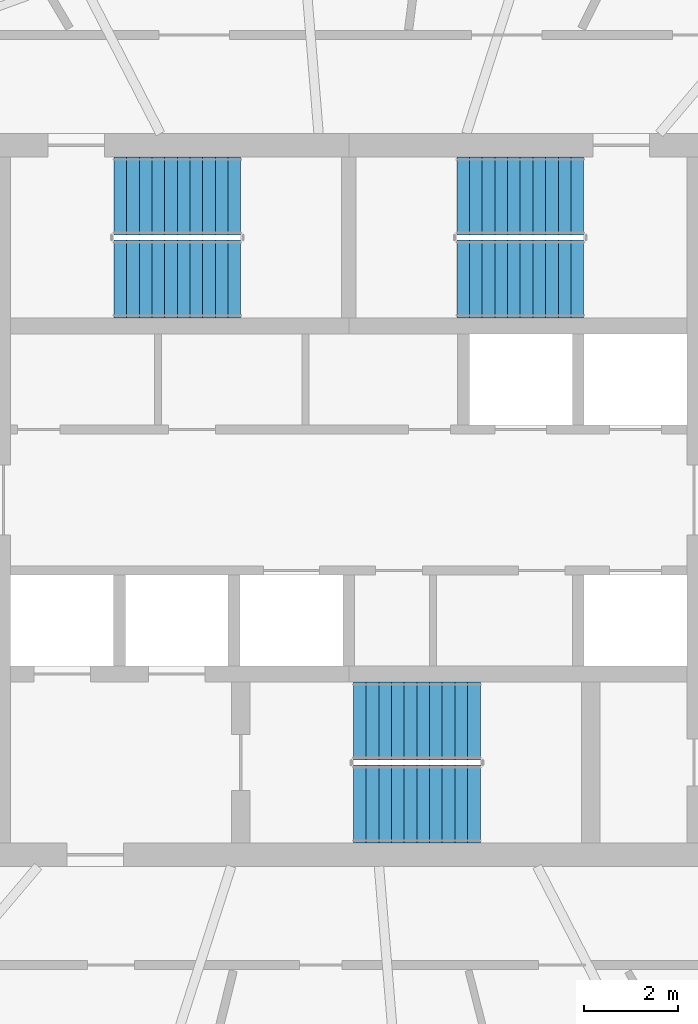
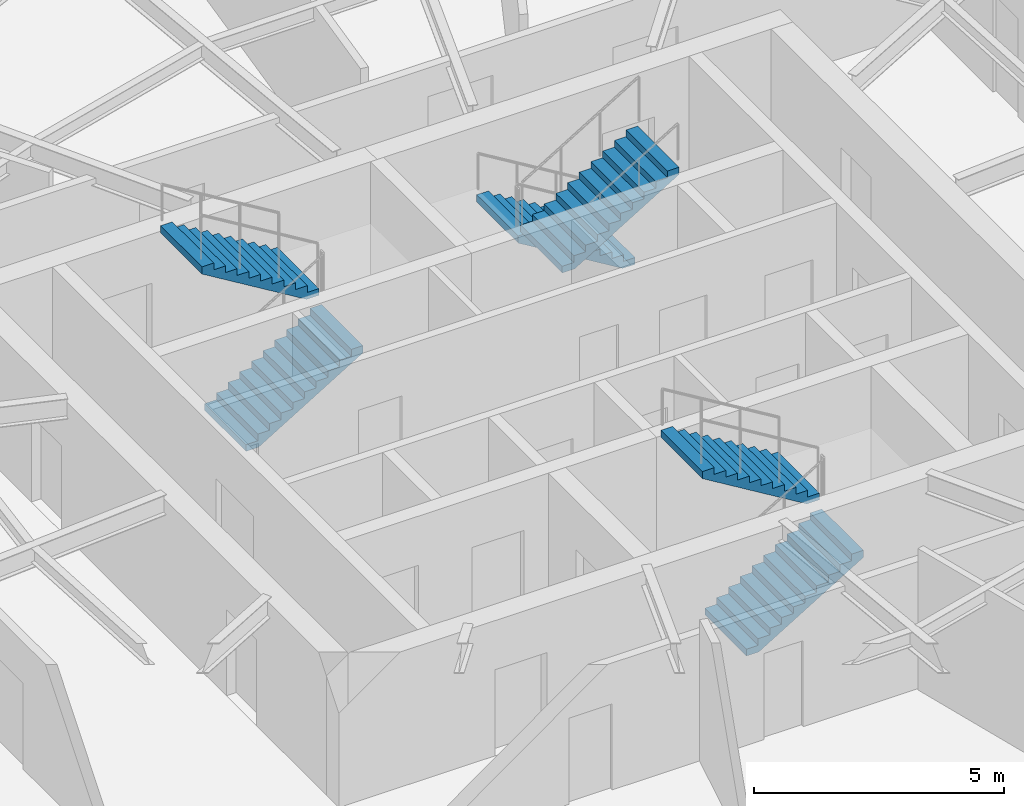
# One storey, part 11 of 14: 6 stair flights, 3 elements without a shape of their own.
"""IFC4 building model written with IfcOpenShell, lengths in metres."""

import ifcopenshell
import ifcopenshell.guid

model = None  # the IFC model being written
_history = None  # IfcOwnerHistory: only IFC2X3 demands one
_inside = {}  # id of a spatial element -> (the spatial element, [elements in it])
_under = {}  # id of a project, library or spatial element -> (it, [spatial elements below it])
_declared = {}  # id of a project -> (the project, [libraries it declares])
_typed = {}  # id of a type object -> (the type object, [elements of that type])
_made_of = {}  # id of a material, layer set ... -> (it, [elements and type objects made of it])


def new_model(schema):
    """Start an empty IFC model of exactly this schema.

    Asked for "IFC4X3", IfcOpenShell would pick the latest addendum, in which some entities
    have other attributes; the version numbers below select the first issue.
    IFC2X3 requires an IfcOwnerHistory on every rooted entity: one is made here for all.
    """
    global model, _history
    if schema == "IFC4X3":
        model = ifcopenshell.file(schema_version=(4, 3, 0, 0))
    else:
        model = ifcopenshell.file(schema=schema)
    _inside.clear()
    _under.clear()
    _declared.clear()
    _typed.clear()
    _made_of.clear()
    _history = None
    if model.schema == "IFC2X3":
        org = make("IfcOrganization", Name="unknown")
        user = make(
            "IfcPersonAndOrganization",
            ThePerson=make("IfcPerson", FamilyName="unknown"),
            TheOrganization=org,
        )
        app = make(
            "IfcApplication",
            ApplicationDeveloper=org,
            Version="unknown",
            ApplicationFullName="unknown",
            ApplicationIdentifier="unknown",
        )
        _history = make(
            "IfcOwnerHistory",
            OwningUser=user,
            OwningApplication=app,
            ChangeAction="ADDED",
            CreationDate=0,
        )
    return model


def make(cls, **values):
    """One entity of the class cls with the attributes given. An attribute that is None is left unset."""
    return model.create_entity(
        cls, **{name: value for name, value in values.items() if value is not None}
    )


def rooted(cls, **values):
    """An entity with a GlobalId (a new one), such as an element, a storey or a relation."""
    return make(cls, GlobalId=ifcopenshell.guid.new(), OwnerHistory=_history, **values)


def si_unit(unit_type, name, prefix=None):
    """IfcSIUnit, for example si_unit("LENGTHUNIT", "METRE", prefix="MILLI")."""
    return make("IfcSIUnit", UnitType=unit_type, Prefix=prefix, Name=name)


def assignment(units):
    """IfcUnitAssignment: the units of a project."""
    return None if units is None else make("IfcUnitAssignment", Units=units)


def point(xyz):
    """IfcCartesianPoint."""
    return None if xyz is None else make("IfcCartesianPoint", Coordinates=xyz)


def direction(xyz):
    """IfcDirection."""
    return None if xyz is None else make("IfcDirection", DirectionRatios=xyz)


def frame(location, z_axis=None, x_axis=None):
    """IfcAxis2Placement3D, a coordinate frame: its origin and axes. An axis left out is left unset."""
    return make(
        "IfcAxis2Placement3D",
        Location=point(location),
        Axis=direction(z_axis),
        RefDirection=direction(x_axis),
    )


def origin():
    """The frame at (0, 0, 0) with its axes left unset."""
    return frame((0.0, 0.0, 0.0))


def place(relative_to, where):
    """IfcLocalPlacement: puts the frame where relative to a parent placement (None: the world)."""
    return make(
        "IfcLocalPlacement", PlacementRelTo=relative_to, RelativePlacement=where
    )


def context(
    kind, dimensions, precision=None, world=None, true_north=None, identifier=None
):
    """IfcGeometricRepresentationContext, for example the 3D "Model" context."""
    return make(
        "IfcGeometricRepresentationContext",
        ContextIdentifier=identifier,
        ContextType=kind,
        CoordinateSpaceDimension=dimensions,
        Precision=precision,
        WorldCoordinateSystem=world,
        TrueNorth=true_north,
    )


def subcontext(parent, identifier, kind, view, scale=None):
    """IfcGeometricRepresentationSubContext, for example "Body" below "Model"."""
    return make(
        "IfcGeometricRepresentationSubContext",
        ContextIdentifier=identifier,
        ContextType=kind,
        ParentContext=parent,
        TargetScale=scale,
        TargetView=view,
    )


def project(units=None, contexts=None):
    """IfcProject with its units and contexts."""
    return rooted(
        "IfcProject",
        Name="project",
        RepresentationContexts=contexts,
        UnitsInContext=assignment(units),
    )


def spatial(cls, under=None, at=None, **own):
    """A site, building, storey or space (cls), placed at a placement, below another one or the project."""
    s = rooted(cls, ObjectPlacement=at, **own)
    if under is not None:
        _under.setdefault(under.id(), (under, []))[1].append(s)
    return s


def polyline(points):
    """IfcPolyline through the points."""
    return make("IfcPolyline", Points=[point(p) for p in points])


def outline(outer, holes=None, kind="AREA"):
    """IfcArbitraryClosedProfileDef: a profile drawn as a closed curve; with holes, ...WithVoids."""
    if holes is None:
        return make("IfcArbitraryClosedProfileDef", ProfileType=kind, OuterCurve=outer)
    return make(
        "IfcArbitraryProfileDefWithVoids",
        ProfileType=kind,
        OuterCurve=outer,
        InnerCurves=holes,
    )


def extrude(swept, where, along, depth):
    """IfcExtrudedAreaSolid: the profile swept, set in the frame where, extruded along a direction by depth."""
    return make(
        "IfcExtrudedAreaSolid",
        SweptArea=swept,
        Position=where,
        ExtrudedDirection=direction(along),
        Depth=depth,
    )


def shape(context_of_items, identifier, shape_type, items):
    """IfcShapeRepresentation: the items that make up one representation, for example the "Body"."""
    return make(
        "IfcShapeRepresentation",
        ContextOfItems=context_of_items,
        RepresentationIdentifier=identifier,
        RepresentationType=shape_type,
        Items=items,
    )


def material(Name=None, Category=None):
    """IfcMaterial."""
    return make("IfcMaterial", Name=Name, Category=Category)


def made_of(thing, what):
    """Note that an element or type object is made of a material, layer set ...; save() writes the relation."""
    if what is not None:
        _made_of.setdefault(what.id(), (what, []))[1].append(thing)
    return thing


def type_object(cls, material=None, **own):
    """A type object (cls), such as IfcWallType, which elements share."""
    return made_of(rooted(cls, **own), material)


def element(
    cls,
    number,
    at=None,
    inside=None,
    cuts=None,
    type_object=None,
    material=None,
    context=None,
    identifier="Body",
    shape_type=None,
    held_by="IfcProductDefinitionShape",
    body=None,
    shapes=None,
    **own,
):
    """One element of the class cls, such as IfcWall. Its Tag is "e" and its number.

    at: its placement. inside: the storey or other place that contains it. cuts: it is an
    opening in that element (IfcRelVoidsElement). A single representation is given by context,
    identifier, shape_type and body (its items); several are given by shapes. held_by: the class
    of the entity that holds the representations. save() writes the other relations.
    """
    e = rooted(cls, Tag="e%d" % number, ObjectPlacement=at, **own)
    if body is not None:
        shapes = [shape(context, identifier, shape_type, body)]
    if shapes is not None:
        e.Representation = make(held_by, Representations=shapes)
    if inside is not None:
        _inside.setdefault(inside.id(), (inside, []))[1].append(e)
    if cuts is not None:
        rooted(
            "IfcRelVoidsElement", RelatingBuildingElement=cuts, RelatedOpeningElement=e
        )
    if type_object is not None:
        _typed.setdefault(type_object.id(), (type_object, []))[1].append(e)
    return made_of(e, material)


def aggregate(whole, parts):
    """IfcRelAggregates: a whole, such as a stair, and the parts it consists of."""
    return rooted("IfcRelAggregates", RelatingObject=whole, RelatedObjects=parts)


def save(model, path):
    """Write the relations noted so far, then the file.

    IfcRelAggregates (storeys below a building ...), IfcRelContainedInSpatialStructure (elements
    in a storey), IfcRelDefinesByType, IfcRelAssociatesMaterial and IfcRelDeclares: one each for
    every whole, place, type object, material and project.
    """
    for whole, parts in _under.values():
        aggregate(whole, parts)
    for where, things in _inside.values():
        rooted(
            "IfcRelContainedInSpatialStructure",
            RelatedElements=things,
            RelatingStructure=where,
        )
    for kind, things in _typed.values():
        rooted("IfcRelDefinesByType", RelatedObjects=things, RelatingType=kind)
    for what, things in _made_of.values():
        rooted("IfcRelAssociatesMaterial", RelatedObjects=things, RelatingMaterial=what)
    for by, libraries in _declared.values():
        rooted("IfcRelDeclares", RelatingContext=by, RelatedDefinitions=libraries)
    model.write(path)


model = new_model("IFC4")

# Units and contexts
model_context = context("Model", 3, precision=1e-05, world=origin(), true_north=direction((0.0, 1.0)))
body_context = subcontext(model_context, "Body", "Model", "MODEL_VIEW")
ifc_project = project(units=[si_unit("LENGTHUNIT", "METRE"), si_unit("AREAUNIT", "SQUARE_METRE"), si_unit("VOLUMEUNIT", "CUBIC_METRE"), si_unit("PLANEANGLEUNIT", "RADIAN"), si_unit("MASSUNIT", "GRAM", prefix="KILO")], contexts=[model_context])

# Site, building, storey
site_placement = place(None, origin())
site = spatial("IfcSite", under=ifc_project, at=site_placement, CompositionType="ELEMENT")
building_placement = place(site_placement, origin())
building = spatial("IfcBuilding", under=site, at=building_placement, Name="Vermilion Reach Broadcast Tower", CompositionType="ELEMENT")
storey_placement = place(building_placement, frame((0.0, 0.0, 264.89990234375)))
storey = spatial("IfcBuildingStorey", under=building, at=storey_placement, Name="L65", CompositionType="ELEMENT", Elevation=264.89990234375)

# Stair, stair flights
ifc_material_1 = material(Name="Concrete C40", Category="concrete")
stair_type = type_object("IfcStairType", Name="Exit stair RC 22 risers 164 mm", PredefinedType="HALF_TURN_STAIR", material=ifc_material_1)
placement = place(storey_placement, origin())
stair_1 = element("IfcStair", 1, at=placement, inside=storey, type_object=stair_type, Name="L65 Exit stair ST1", PredefinedType="HALF_TURN_STAIR")
ifc_material_2 = material(Name="Concrete C40", Category="concrete")
stair_flight_type = type_object("IfcStairFlightType", Name="Exit stair flight RC 11 risers", PredefinedType="STRAIGHT", material=ifc_material_2)
stair_flight_1_placement = place(storey_placement, frame((-11.0, 4.7099609375, 0.0), z_axis=(0.0, 0.0, 1.0), x_axis=(1.0, 0.0, 0.0)))
stair_flight_1 = element("IfcStairFlight", 2, at=stair_flight_1_placement, type_object=stair_flight_type, Name="ST1 flight 1", NumberOfRisers=11, NumberOfTreads=10, PredefinedType="STRAIGHT", RiserHeight=0.163636364, TreadLength=0.27, context=body_context, shape_type="SweptSolid", body=[
    extrude(outline(polyline([(0.0, 0.0), (0.0, 0.16357421875), (0.27001953125, 0.16357421875), (0.27001953125, 0.327392578125), (0.5400390625, 0.327392578125), (0.5400390625, 0.490966796875), (0.81005859375, 0.490966796875), (0.81005859375, 0.654541015625), (1.080078125, 0.654541015625), (1.080078125, 0.818115234375), (1.35009765625, 0.818115234375), (1.35009765625, 0.98193359375), (1.6201171875, 0.98193359375), (1.6201171875, 1.1455078125), (1.889892578125, 1.1455078125), (1.889892578125, 1.30908203125), (2.159912109375, 1.30908203125), (2.159912109375, 1.47265625), (2.429931640625, 1.47265625), (2.429931640625, 1.636474609375), (2.699951171875, 1.636474609375), (2.699951171875, 1.800048828125), (2.699951171875, 1.461181640625), (0.289306640625, 0.0), (0.0, 0.0)])), frame((0.0, 0.830078125, 0.0), z_axis=(0.0, -1.0, 0.0), x_axis=(1.0, 0.0, 0.0)), (0.0, 0.0, 1.0), 1.659912109375),
])
stair_flight_2_placement = place(storey_placement, frame((-8.300048828125, 6.469970703125, 1.800048828125), z_axis=(0.0, 0.0, 1.0), x_axis=(-1.0, 0.0, 0.0)))
stair_flight_2 = element("IfcStairFlight", 3, at=stair_flight_2_placement, type_object=stair_flight_type, Name="ST1 flight 2", NumberOfRisers=11, NumberOfTreads=10, PredefinedType="STRAIGHT", RiserHeight=0.163636364, TreadLength=0.27, context=body_context, shape_type="SweptSolid", body=[
    extrude(outline(polyline([(0.0, 0.0), (0.0, 0.16357421875), (0.27001953125, 0.16357421875), (0.27001953125, 0.327392578125), (0.5400390625, 0.327392578125), (0.5400390625, 0.490966796875), (0.81005859375, 0.490966796875), (0.81005859375, 0.654541015625), (1.080078125, 0.654541015625), (1.080078125, 0.818115234375), (1.35009765625, 0.818115234375), (1.35009765625, 0.98193359375), (1.6201171875, 0.98193359375), (1.6201171875, 1.1455078125), (1.889892578125, 1.1455078125), (1.889892578125, 1.30908203125), (2.159912109375, 1.30908203125), (2.159912109375, 1.47265625), (2.429931640625, 1.47265625), (2.429931640625, 1.636474609375), (2.699951171875, 1.636474609375), (2.699951171875, 1.800048828125), (2.699951171875, 1.461181640625), (0.289306640625, 0.0), (0.0, 0.0)])), frame((0.0, 0.830078125, 0.0), z_axis=(0.0, -1.0, 0.0), x_axis=(1.0, 0.0, 0.0)), (0.0, 0.0, 1.0), 1.659912109375),
])
aggregate(stair_1, [stair_flight_1, stair_flight_2])

stair_2 = element("IfcStair", 4, at=placement, inside=storey, type_object=stair_type, Name="L65 Exit stair ST2", PredefinedType="HALF_TURN_STAIR")
stair_flight_3_placement = place(storey_placement, frame((-1.0, 6.469970703125, 0.0), z_axis=(0.0, 0.0, 1.0), x_axis=(-1.0, 0.0, 0.0)))
stair_flight_3 = element("IfcStairFlight", 5, at=stair_flight_3_placement, type_object=stair_flight_type, Name="ST2 flight 1", NumberOfRisers=11, NumberOfTreads=10, PredefinedType="STRAIGHT", RiserHeight=0.163636364, TreadLength=0.27, context=body_context, shape_type="SweptSolid", body=[
    extrude(outline(polyline([(0.0, 0.0), (0.0, 0.16357421875), (0.27001953125, 0.16357421875), (0.27001953125, 0.327392578125), (0.5400390625, 0.327392578125), (0.5400390625, 0.490966796875), (0.81005859375, 0.490966796875), (0.81005859375, 0.654541015625), (1.080078125, 0.654541015625), (1.080078125, 0.818115234375), (1.35009765625, 0.818115234375), (1.35009765625, 0.98193359375), (1.6201171875, 0.98193359375), (1.6201171875, 1.1455078125), (1.889892578125, 1.1455078125), (1.889892578125, 1.30908203125), (2.159912109375, 1.30908203125), (2.159912109375, 1.47265625), (2.429931640625, 1.47265625), (2.429931640625, 1.636474609375), (2.699951171875, 1.636474609375), (2.699951171875, 1.800048828125), (2.699951171875, 1.461181640625), (0.289306640625, 0.0), (0.0, 0.0)])), frame((0.0, 0.830078125, 0.0), z_axis=(0.0, -1.0, 0.0), x_axis=(1.0, 0.0, 0.0)), (0.0, 0.0, 1.0), 1.659912109375),
])
stair_flight_4_placement = place(storey_placement, frame((-3.699951171875, 4.7099609375, 1.800048828125), z_axis=(0.0, 0.0, 1.0), x_axis=(1.0, 0.0, 0.0)))
stair_flight_4 = element("IfcStairFlight", 6, at=stair_flight_4_placement, type_object=stair_flight_type, Name="ST2 flight 2", NumberOfRisers=11, NumberOfTreads=10, PredefinedType="STRAIGHT", RiserHeight=0.163636364, TreadLength=0.27, context=body_context, shape_type="SweptSolid", body=[
    extrude(outline(polyline([(0.0, 0.0), (0.0, 0.16357421875), (0.27001953125, 0.16357421875), (0.27001953125, 0.327392578125), (0.5400390625, 0.327392578125), (0.5400390625, 0.490966796875), (0.81005859375, 0.490966796875), (0.81005859375, 0.654541015625), (1.080078125, 0.654541015625), (1.080078125, 0.818115234375), (1.35009765625, 0.818115234375), (1.35009765625, 0.98193359375), (1.6201171875, 0.98193359375), (1.6201171875, 1.1455078125), (1.889892578125, 1.1455078125), (1.889892578125, 1.30908203125), (2.159912109375, 1.30908203125), (2.159912109375, 1.47265625), (2.429931640625, 1.47265625), (2.429931640625, 1.636474609375), (2.699951171875, 1.636474609375), (2.699951171875, 1.800048828125), (2.699951171875, 1.461181640625), (0.289306640625, 0.0), (0.0, 0.0)])), frame((0.0, 0.830078125, 0.0), z_axis=(0.0, -1.0, 0.0), x_axis=(1.0, 0.0, 0.0)), (0.0, 0.0, 1.0), 1.659912109375),
])
aggregate(stair_2, [stair_flight_3, stair_flight_4])

stair_3 = element("IfcStair", 7, at=placement, inside=storey, type_object=stair_type, Name="L65 Exit stair ST3", PredefinedType="HALF_TURN_STAIR")
stair_flight_5_placement = place(storey_placement, frame((-5.89990234375, -6.469970703125, 0.0), z_axis=(0.0, 0.0, 1.0), x_axis=(1.0, 0.0, 0.0)))
stair_flight_5 = element("IfcStairFlight", 8, at=stair_flight_5_placement, type_object=stair_flight_type, Name="ST3 flight 1", NumberOfRisers=11, NumberOfTreads=10, PredefinedType="STRAIGHT", RiserHeight=0.163636364, TreadLength=0.27, context=body_context, shape_type="SweptSolid", body=[
    extrude(outline(polyline([(0.0, 0.0), (0.0, 0.16357421875), (0.27001953125, 0.16357421875), (0.27001953125, 0.327392578125), (0.5400390625, 0.327392578125), (0.5400390625, 0.490966796875), (0.81005859375, 0.490966796875), (0.81005859375, 0.654541015625), (1.080078125, 0.654541015625), (1.080078125, 0.818115234375), (1.35009765625, 0.818115234375), (1.35009765625, 0.98193359375), (1.6201171875, 0.98193359375), (1.6201171875, 1.1455078125), (1.889892578125, 1.1455078125), (1.889892578125, 1.30908203125), (2.159912109375, 1.30908203125), (2.159912109375, 1.47265625), (2.429931640625, 1.47265625), (2.429931640625, 1.636474609375), (2.699951171875, 1.636474609375), (2.699951171875, 1.800048828125), (2.699951171875, 1.461181640625), (0.289306640625, 0.0), (0.0, 0.0)])), frame((0.0, 0.830078125, 0.0), z_axis=(0.0, -1.0, 0.0), x_axis=(1.0, 0.0, 0.0)), (0.0, 0.0, 1.0), 1.659912109375),
])
stair_flight_6_placement = place(storey_placement, frame((-3.199951171875, -4.7099609375, 1.800048828125), z_axis=(0.0, 0.0, 1.0), x_axis=(-1.0, 0.0, 0.0)))
stair_flight_6 = element("IfcStairFlight", 9, at=stair_flight_6_placement, type_object=stair_flight_type, Name="ST3 flight 2", NumberOfRisers=11, NumberOfTreads=10, PredefinedType="STRAIGHT", RiserHeight=0.163636364, TreadLength=0.27, context=body_context, shape_type="SweptSolid", body=[
    extrude(outline(polyline([(0.0, 0.0), (0.0, 0.16357421875), (0.27001953125, 0.16357421875), (0.27001953125, 0.327392578125), (0.5400390625, 0.327392578125), (0.5400390625, 0.490966796875), (0.81005859375, 0.490966796875), (0.81005859375, 0.654541015625), (1.080078125, 0.654541015625), (1.080078125, 0.818115234375), (1.35009765625, 0.818115234375), (1.35009765625, 0.98193359375), (1.6201171875, 0.98193359375), (1.6201171875, 1.1455078125), (1.889892578125, 1.1455078125), (1.889892578125, 1.30908203125), (2.159912109375, 1.30908203125), (2.159912109375, 1.47265625), (2.429931640625, 1.47265625), (2.429931640625, 1.636474609375), (2.699951171875, 1.636474609375), (2.699951171875, 1.800048828125), (2.699951171875, 1.461181640625), (0.289306640625, 0.0), (0.0, 0.0)])), frame((0.0, 0.830078125, 0.0), z_axis=(0.0, -1.0, 0.0), x_axis=(1.0, 0.0, 0.0)), (0.0, 0.0, 1.0), 1.659912109375),
])
aggregate(stair_3, [stair_flight_5, stair_flight_6])

save(model, "model.ifc")
